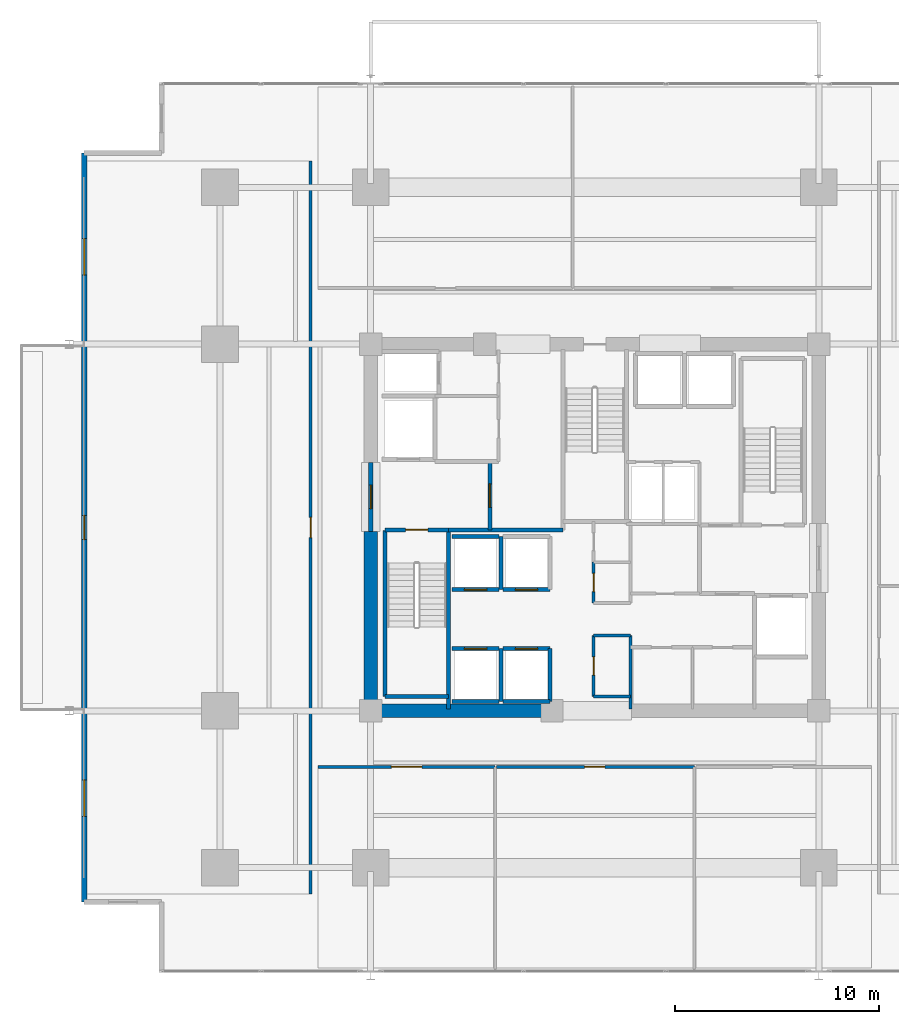
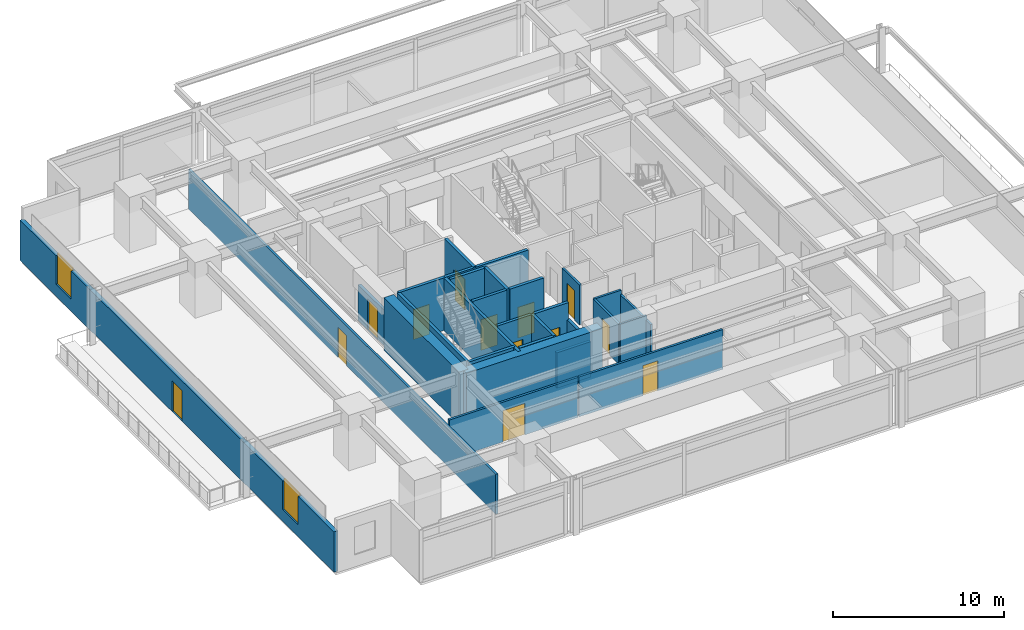
# One storey, part 13 of 20: 28 walls, 13 doors, 2 windows, 15 openings.
"""IFC4 building model written with IfcOpenShell, lengths in metres."""

from ifc_helpers import new_model, si_unit, direction, frame, frame_2d, origin, place, context, subcontext, project, spatial, rectangle, extrude, material, layer, layer_set, type_object, element, fill, save


model = new_model("IFC4")

# Units and contexts
model_context = context("Model", 3, precision=1e-05, world=origin(), true_north=direction((0.0, 1.0)))
body_context = subcontext(model_context, "Body", "Model", "MODEL_VIEW")
ifc_project = project(units=[si_unit("LENGTHUNIT", "METRE"), si_unit("AREAUNIT", "SQUARE_METRE"), si_unit("VOLUMEUNIT", "CUBIC_METRE"), si_unit("PLANEANGLEUNIT", "RADIAN"), si_unit("MASSUNIT", "GRAM", prefix="KILO")], contexts=[model_context])

# Site, building, storey
site_placement = place(None, origin())
site = spatial("IfcSite", under=ifc_project, at=site_placement, CompositionType="ELEMENT")
building_placement = place(site_placement, origin())
building = spatial("IfcBuilding", under=site, at=building_placement, Name="Kovane Verandah Tower", CompositionType="ELEMENT")
storey_placement = place(building_placement, frame((0.0, 0.0, 35.60009765625)))
storey = spatial("IfcBuildingStorey", under=building, at=storey_placement, Name="L07", CompositionType="ELEMENT", Elevation=35.60009765625)

# Walls
ifc_material_1 = material(Name="Fire-Rated Gypsum Stud Partition", Category="gypsum")
ifc_layer_1 = layer(ifc_material_1, 0.14990234375)
ifc_layer_set_1 = layer_set([ifc_layer_1], Name="Fire-Rated Gypsum Stud Partition")
wall_type_1 = type_object("IfcWallType", Name="WL-COR-150", PredefinedType="PARTITIONING", material=ifc_layer_set_1)
for number, where, z_axis, x_axis, name in (
    (1, (39.949951171875, 19.199951171875, 0.0), (0.0, 0.0, 1.0), (1.0, 0.0, 0.0), "L07 Central Core Strip South Wall"),
    (2, (39.949951171875, 22.199951171875, 0.0), (0.0, 0.0, 1.0), (1.0, 0.0, 0.0), "L07 Core Cross-Passage South Wall"),
):
    element("IfcWall", number, at=place(storey_placement, frame(where, z_axis=z_axis, x_axis=x_axis)), inside=storey, type_object=wall_type_1, Name=name, PredefinedType="PARTITIONING", context=body_context, shape_type="SweptSolid", body=[
        extrude(rectangle(XDim=1.81005859375, YDim=0.14990234375, at=frame_2d((0.905029296875, 0.0))), origin(), (0.0, 0.0, 1.0), 2.849853515625),
    ])
wall_1_placement = place(storey_placement, frame((41.760009765625, 18.60009765625, 0.0), z_axis=(0.0, 0.0, 1.0), x_axis=(0.0, 1.0, 0.0)))
element("IfcWall", 3, at=wall_1_placement, inside=storey, type_object=wall_type_1, Name="L07 Central Core Strip Lower East Wall", PredefinedType="PARTITIONING", context=body_context, shape_type="SweptSolid", body=[
    extrude(rectangle(XDim=3.599853515625, YDim=0.14990234375, at=frame_2d((1.7998046875, 0.0))), origin(), (0.0, 0.0, 1.0), 2.539794921875),
])

# Wall, opening, door
wall_2_placement = place(storey_placement, frame((39.949951171875, 19.199951171875, 0.0), z_axis=(0.0, 0.0, 1.0), x_axis=(0.0, 1.0, 0.0)))
wall_2 = element("IfcWall", 4, at=wall_2_placement, inside=storey, type_object=wall_type_1, Name="L07 Male Toilet Partition", PredefinedType="PARTITIONING", context=body_context, shape_type="SweptSolid", body=[
    extrude(rectangle(XDim=3.0, YDim=0.14990234375, at=frame_2d((1.5, 0.0))), origin(), (0.0, 0.0, 1.0), 2.849853515625),
])
opening_1_placement = place(wall_2_placement, frame((1.050048828125, 0.0, 0.0)))
opening_1 = element("IfcOpeningElement", 5, at=opening_1_placement, cuts=wall_2, Name="Opening DR-L07-027", PredefinedType="OPENING", context=body_context, shape_type="SweptSolid", body=[
    extrude(rectangle(XDim=0.89990234375, YDim=2.10009765625, at=frame_2d((0.449951171875, 1.050048828125))), frame((0.0, 0.074951171875, 0.0), z_axis=(0.0, -1.0, 0.0), x_axis=(1.0, 0.0, 0.0)), (0.0, 0.0, 1.0), 0.14990234375),
])
ifc_material_2 = material(Name="Moisture-Resistant Laminate Washroom Door", Category="wood")
door_type_1 = type_object("IfcDoorType", Name="DR-WC-900", OperationType="SINGLE_SWING_LEFT", PredefinedType="DOOR", material=ifc_material_2)
door_1_placement = place(opening_1_placement, origin())
door_1 = element("IfcDoor", 6, at=door_1_placement, inside=storey, type_object=door_type_1, Name="L07 Male Toilet Door", OperationType="SINGLE_SWING_LEFT", OverallHeight=2.10009765625, OverallWidth=0.89990234375, PredefinedType="DOOR", context=body_context, shape_type="SweptSolid", body=[
    extrude(rectangle(XDim=0.89990234375, YDim=2.10009765625, at=frame_2d((0.449951171875, 1.050048828125))), frame((0.0, 0.02490234375, 0.0), z_axis=(0.0, -1.0, 0.0), x_axis=(1.0, 0.0, 0.0)), (0.0, 0.0, 1.0), 0.050048828125),
])
fill(opening_1, door_1)

wall_3_placement = place(storey_placement, frame((39.949951171875, 23.800048828125, 0.0), z_axis=(0.0, 0.0, 1.0), x_axis=(0.0, 1.0, 0.0)))
wall_3 = element("IfcWall", 7, at=wall_3_placement, inside=storey, type_object=wall_type_1, Name="L07 Female Toilet Partition", PredefinedType="PARTITIONING", context=body_context, shape_type="SweptSolid", body=[
    extrude(rectangle(XDim=2.0, YDim=0.14990234375, at=frame_2d((1.0, 0.0))), origin(), (0.0, 0.0, 1.0), 2.849853515625),
])
opening_2_placement = place(wall_3_placement, frame((0.550048828125, 0.0, 0.0)))
opening_2 = element("IfcOpeningElement", 8, at=opening_2_placement, cuts=wall_3, Name="Opening DR-L07-026", PredefinedType="OPENING", context=body_context, shape_type="SweptSolid", body=[
    extrude(rectangle(XDim=0.89990234375, YDim=2.10009765625, at=frame_2d((0.449951171875, 1.050048828125))), frame((0.0, 0.074951171875, 0.0), z_axis=(0.0, -1.0, 0.0), x_axis=(1.0, 0.0, 0.0)), (0.0, 0.0, 1.0), 0.14990234375),
])
door_2_placement = place(opening_2_placement, origin())
door_2 = element("IfcDoor", 9, at=door_2_placement, inside=storey, type_object=door_type_1, Name="L07 Female Toilet Door", OperationType="SINGLE_SWING_RIGHT", OverallHeight=2.10009765625, OverallWidth=0.89990234375, PredefinedType="DOOR", context=body_context, shape_type="SweptSolid", body=[
    extrude(rectangle(XDim=0.89990234375, YDim=2.10009765625, at=frame_2d((0.449951171875, 1.050048828125))), frame((0.0, 0.02490234375, 0.0), z_axis=(0.0, -1.0, 0.0), x_axis=(1.0, 0.0, 0.0)), (0.0, 0.0, 1.0), 0.050048828125),
])
fill(opening_2, door_2)

wall_4_placement = place(storey_placement, frame((26.39990234375, 15.75, 0.0), z_axis=(0.0, 0.0, 1.0), x_axis=(1.0, 0.0, 0.0)))
wall_4 = element("IfcWall", 10, at=wall_4_placement, inside=storey, type_object=wall_type_1, Name="L07 Client Boardroom S1 Corridor Partition", PredefinedType="PARTITIONING", context=body_context, shape_type="SweptSolid", body=[
    extrude(rectangle(XDim=8.7041015625, YDim=0.14990234375, at=frame_2d((4.35205078125, 0.0))), origin(), (0.0, 0.0, 1.0), 2.849853515625),
])
opening_3_placement = place(wall_4_placement, frame((3.616943359375, 0.0, 0.0)))
opening_3 = element("IfcOpeningElement", 11, at=opening_3_placement, cuts=wall_4, Name="Opening DR-L07-021", PredefinedType="OPENING", context=body_context, shape_type="SweptSolid", body=[
    extrude(rectangle(XDim=1.5, YDim=2.25, at=frame_2d((0.75, 1.125))), frame((0.0, 0.074951171875, 0.0), z_axis=(0.0, -1.0, 0.0), x_axis=(1.0, 0.0, 0.0)), (0.0, 0.0, 1.0), 0.14990234375),
])
ifc_material_3 = material(Name="Glazed Timber Fire-Rated Double Door", Category="wood")
door_type_2 = type_object("IfcDoorType", Name="DR-CONF-1500", OperationType="DOUBLE_DOOR_SINGLE_SWING", PredefinedType="DOOR", material=ifc_material_3)
door_3_placement = place(opening_3_placement, origin())
door_3 = element("IfcDoor", 12, at=door_3_placement, inside=storey, type_object=door_type_2, Name="L07 Client Boardroom S1 Entrance Door", OperationType="DOUBLE_DOOR_SINGLE_SWING", OverallHeight=2.25, OverallWidth=1.5, PredefinedType="DOOR", context=body_context, shape_type="SweptSolid", body=[
    extrude(rectangle(XDim=1.5, YDim=2.25, at=frame_2d((0.75, 1.125))), frame((0.0, 0.02490234375, 0.0), z_axis=(0.0, -1.0, 0.0), x_axis=(1.0, 0.0, 0.0)), (0.0, 0.0, 1.0), 0.050048828125),
])
fill(opening_3, door_3)

wall_5_placement = place(storey_placement, frame((35.174072265625, 15.75, 0.0), z_axis=(0.0, 0.0, 1.0), x_axis=(1.0, 0.0, 0.0)))
wall_5 = element("IfcWall", 13, at=wall_5_placement, inside=storey, type_object=wall_type_1, Name="L07 Meeting Room S2 Corridor Partition", PredefinedType="PARTITIONING", context=body_context, shape_type="SweptSolid", body=[
    extrude(rectangle(XDim=9.721923828125, YDim=0.14990234375, at=frame_2d((4.86083984375, 0.0))), origin(), (0.0, 0.0, 1.0), 2.849853515625),
])
opening_4_placement = place(wall_5_placement, frame((4.325927734375, 0.0, 0.0)))
opening_4 = element("IfcOpeningElement", 14, at=opening_4_placement, cuts=wall_5, Name="Opening DR-L07-022", PredefinedType="OPENING", context=body_context, shape_type="SweptSolid", body=[
    extrude(rectangle(XDim=1.0, YDim=2.14990234375, at=frame_2d((0.5, 1.074951171875))), frame((0.0, 0.074951171875, 0.0), z_axis=(0.0, -1.0, 0.0), x_axis=(1.0, 0.0, 0.0)), (0.0, 0.0, 1.0), 0.14990234375),
])
ifc_material_4 = material(Name="FSC Spotted-Gum Timber Fire-Rated Office Door", Category="wood")
door_type_3 = type_object("IfcDoorType", Name="DR-OFF-1000", OperationType="SINGLE_SWING_LEFT", PredefinedType="DOOR", material=ifc_material_4)
door_4_placement = place(opening_4_placement, origin())
door_4 = element("IfcDoor", 15, at=door_4_placement, inside=storey, type_object=door_type_3, Name="L07 Meeting Room S2 Entrance Door", OperationType="SINGLE_SWING_RIGHT", OverallHeight=2.14990234375, OverallWidth=1.0, PredefinedType="DOOR", context=body_context, shape_type="SweptSolid", body=[
    extrude(rectangle(XDim=1.0, YDim=2.14990234375, at=frame_2d((0.5, 1.074951171875))), frame((0.0, 0.02490234375, 0.0), z_axis=(0.0, -1.0, 0.0), x_axis=(1.0, 0.0, 0.0)), (0.0, 0.0, 1.0), 0.050048828125),
])
fill(opening_4, door_4)

wall_6_placement = place(storey_placement, frame((26.050048828125, 9.5107421875, 0.0), z_axis=(0.0, 0.0, 1.0), x_axis=(0.0, 1.0, 0.0)))
wall_6 = element("IfcWall", 16, at=wall_6_placement, inside=storey, type_object=wall_type_1, Name="L07 Breakout Pantry W1 Corridor Partition", PredefinedType="PARTITIONING", context=body_context, shape_type="SweptSolid", body=[
    extrude(rectangle(XDim=35.978515625, YDim=0.14990234375, at=frame_2d((17.9892578125, 0.0))), origin(), (0.0, 0.0, 1.0), 2.849853515625),
])
opening_5_placement = place(wall_6_placement, frame((17.4892578125, 0.0, 0.0)))
opening_5 = element("IfcOpeningElement", 17, at=opening_5_placement, cuts=wall_6, Name="Opening DR-L07-028", PredefinedType="OPENING", context=body_context, shape_type="SweptSolid", body=[
    extrude(rectangle(XDim=1.0, YDim=2.14990234375, at=frame_2d((0.5, 1.074951171875))), frame((0.0, 0.074951171875, 0.0), z_axis=(0.0, -1.0, 0.0), x_axis=(1.0, 0.0, 0.0)), (0.0, 0.0, 1.0), 0.14990234375),
])
door_5_placement = place(opening_5_placement, origin())
door_5 = element("IfcDoor", 18, at=door_5_placement, inside=storey, type_object=door_type_3, Name="L07 Breakout Pantry W1 Entrance Door", OperationType="SINGLE_SWING_RIGHT", OverallHeight=2.14990234375, OverallWidth=1.0, PredefinedType="DOOR", context=body_context, shape_type="SweptSolid", body=[
    extrude(rectangle(XDim=1.0, YDim=2.14990234375, at=frame_2d((0.5, 1.074951171875))), frame((0.0, 0.02490234375, 0.0), z_axis=(0.0, -1.0, 0.0), x_axis=(1.0, 0.0, 0.0)), (0.0, 0.0, 1.0), 0.050048828125),
])
fill(opening_5, door_5)

# Walls
ifc_material_5 = material(Name="Concrete C80/95", Category="concrete")
ifc_layer_2 = layer(ifc_material_5, 0.64990234375)
ifc_layer_set_2 = layer_set([ifc_layer_2], Name="Concrete C80/95")
wall_type_2 = type_object("IfcWallType", Name="WL-CORE-650", PredefinedType="SHEAR", material=ifc_layer_set_2)
wall_7_placement = place(storey_placement, frame((29.0, 18.5, 0.0), z_axis=(0.0, 0.0, 1.0), x_axis=(1.0, 0.0, 0.0)))
element("IfcWall", 19, at=wall_7_placement, inside=storey, type_object=wall_type_2, Name="L07 Core Shear Wall CS-1", PredefinedType="SHEAR", context=body_context, shape_type="SweptSolid", body=[
    extrude(rectangle(XDim=9.199951171875, YDim=0.64990234375, at=frame_2d((4.60009765625, 0.0))), origin(), (0.0, 0.0, 1.0), 3.760009765625),
])
wall_8_placement = place(storey_placement, frame((29.0, 18.5, 0.0), z_axis=(0.0, 0.0, 1.0), x_axis=(0.0, 1.0, 0.0)))
element("IfcWall", 20, at=wall_8_placement, inside=storey, type_object=wall_type_2, Name="L07 Core Shear Wall CW-1", PredefinedType="SHEAR", context=body_context, shape_type="SweptSolid", body=[
    extrude(rectangle(XDim=8.800048828125, YDim=0.64990234375, at=frame_2d((4.39990234375, 0.0))), origin(), (0.0, 0.0, 1.0), 3.760009765625),
])

# Wall, opening, door
ifc_material_6 = material(Name="Concrete C45/55 Fire Wall", Category="concrete")
ifc_layer_3 = layer(ifc_material_6, 0.199951171875)
ifc_layer_set_3 = layer_set([ifc_layer_3], Name="Concrete C45/55 Fire Wall")
wall_type_3 = type_object("IfcWallType", Name="WL-FFL-200", PredefinedType="PARTITIONING", material=ifc_layer_set_3)
wall_9_placement = place(storey_placement, frame((34.85009765625, 27.3798828125, 0.0), z_axis=(0.0, 0.0, 1.0), x_axis=(0.0, 1.0, 0.0)))
wall_9 = element("IfcWall", 21, at=wall_9_placement, inside=storey, type_object=wall_type_3, Name="W-L07-FFLW-E", PredefinedType="PARTITIONING", context=body_context, shape_type="SweptSolid", body=[
    extrude(rectangle(XDim=3.3701171875, YDim=0.199951171875, at=frame_2d((1.68505859375, 0.0))), origin(), (0.0, 0.0, 1.0), 3.760009765625),
])
opening_6_placement = place(wall_9_placement, frame((1.110107421875, 0.0, 0.0)))
opening_6 = element("IfcOpeningElement", 22, at=opening_6_placement, cuts=wall_9, Name="Opening DR-L07-006", PredefinedType="OPENING", context=body_context, shape_type="SweptSolid", body=[
    extrude(rectangle(XDim=1.14990234375, YDim=2.199951171875, at=frame_2d((0.574951171875, 1.10009765625))), frame((0.0, 0.10009765625, 0.0), z_axis=(0.0, -1.0, 0.0), x_axis=(1.0, 0.0, 0.0)), (0.0, 0.0, 1.0), 0.199951171875),
])
ifc_material_7 = material(Name="Smoke-Sealed Firefighting Lobby Door", Category="steel")
door_type_4 = type_object("IfcDoorType", Name="DR-FFL-1150", OperationType="SINGLE_SWING_LEFT", PredefinedType="DOOR", material=ifc_material_7)
door_6_placement = place(opening_6_placement, origin())
door_6 = element("IfcDoor", 23, at=door_6_placement, inside=storey, type_object=door_type_4, Name="L07 West Firefighting Lobby Inner Door", OperationType="SINGLE_SWING_LEFT", OverallHeight=2.199951171875, OverallWidth=1.14990234375, PredefinedType="DOOR", context=body_context, shape_type="SweptSolid", body=[
    extrude(rectangle(XDim=1.14990234375, YDim=2.199951171875, at=frame_2d((0.574951171875, 1.10009765625))), frame((0.0, 0.02490234375, 0.0), z_axis=(0.0, -1.0, 0.0), x_axis=(1.0, 0.0, 0.0)), (0.0, 0.0, 1.0), 0.050048828125),
])
fill(opening_6, door_6)

wall_10_placement = place(storey_placement, frame((29.0, 27.300048828125, 0.0), z_axis=(0.0, 0.0, 1.0), x_axis=(0.0, 1.0, 0.0)))
wall_10 = element("IfcWall", 24, at=wall_10_placement, inside=storey, type_object=wall_type_3, Name="W-L07-FFLW-OUT", PredefinedType="PARTITIONING", context=body_context, shape_type="SweptSolid", body=[
    extrude(rectangle(XDim=3.39990234375, YDim=0.199951171875, at=frame_2d((1.699951171875, 0.0))), origin(), (0.0, 0.0, 1.0), 2.539794921875),
])
opening_7_placement = place(wall_10_placement, frame((1.125, 0.0, 0.0)))
opening_7 = element("IfcOpeningElement", 25, at=opening_7_placement, cuts=wall_10, Name="Opening DR-L07-007", PredefinedType="OPENING", context=body_context, shape_type="SweptSolid", body=[
    extrude(rectangle(XDim=1.14990234375, YDim=2.199951171875, at=frame_2d((0.574951171875, 1.10009765625))), frame((0.0, 0.10009765625, 0.0), z_axis=(0.0, -1.0, 0.0), x_axis=(1.0, 0.0, 0.0)), (0.0, 0.0, 1.0), 0.199951171875),
])
door_7_placement = place(opening_7_placement, origin())
door_7 = element("IfcDoor", 26, at=door_7_placement, inside=storey, type_object=door_type_4, Name="L07 West Firefighting Lobby Corridor Door", OperationType="SINGLE_SWING_RIGHT", OverallHeight=2.199951171875, OverallWidth=1.14990234375, PredefinedType="DOOR", context=body_context, shape_type="SweptSolid", body=[
    extrude(rectangle(XDim=1.14990234375, YDim=2.199951171875, at=frame_2d((0.574951171875, 1.10009765625))), frame((0.0, 0.02490234375, 0.0), z_axis=(0.0, -1.0, 0.0), x_axis=(1.0, 0.0, 0.0)), (0.0, 0.0, 1.0), 0.050048828125),
])
fill(opening_7, door_7)

# Walls
wall_11_placement = place(storey_placement, frame((32.820068359375, 27.3798828125, 0.0), z_axis=(0.0, 0.0, 1.0), x_axis=(1.0, 0.0, 0.0)))
element("IfcWall", 27, at=wall_11_placement, inside=storey, type_object=wall_type_3, Name="L07 West Firefighting Lobby South Fire Wall", PredefinedType="PARTITIONING", context=body_context, shape_type="SweptSolid", body=[
    extrude(rectangle(XDim=5.619873046875, YDim=0.199951171875, at=frame_2d((2.81005859375, 0.0))), origin(), (0.0, 0.0, 1.0), 3.760009765625),
])
ifc_material_8 = material(Name="Concrete C45/55 Lift Shaft Wall", Category="concrete")
ifc_layer_4 = layer(ifc_material_8, 0.199951171875)
ifc_layer_set_4 = layer_set([ifc_layer_4], Name="Concrete C45/55 Lift Shaft Wall")
wall_type_4 = type_object("IfcWallType", Name="WL-LIFT-200", PredefinedType="SOLIDWALL", material=ifc_layer_set_4)
wall_12_placement = place(storey_placement, frame((33.0, 18.949951171875, 0.0), z_axis=(0.0, 0.0, 1.0), x_axis=(1.0, 0.0, 0.0)))
element("IfcWall", 28, at=wall_12_placement, inside=storey, type_object=wall_type_4, Name="L07 Lift PL-L1 S Shaft Wall", PredefinedType="SOLIDWALL", context=body_context, shape_type="SweptSolid", body=[
    extrude(rectangle(XDim=2.300048828125, YDim=0.199951171875, at=frame_2d((1.14990234375, 0.0))), origin(), (0.0, 0.0, 1.0), 3.760009765625),
])

# Wall, opening, door
wall_13_placement = place(storey_placement, frame((35.300048828125, 21.550048828125, 0.0), z_axis=(0.0, 0.0, 1.0), x_axis=(-1.0, 0.0, 0.0)))
wall_13 = element("IfcWall", 29, at=wall_13_placement, inside=storey, type_object=wall_type_4, Name="L07 Lift PL-L1 N Shaft Wall", PredefinedType="SOLIDWALL", context=body_context, shape_type="SweptSolid", body=[
    extrude(rectangle(XDim=2.300048828125, YDim=0.199951171875, at=frame_2d((1.14990234375, 0.0))), origin(), (0.0, 0.0, 1.0), 3.760009765625),
])
opening_8_placement = place(wall_13_placement, frame((0.60009765625, 0.0, 0.0)))
opening_8 = element("IfcOpeningElement", 30, at=opening_8_placement, cuts=wall_13, Name="Opening LD-L07-004", PredefinedType="OPENING", context=body_context, shape_type="SweptSolid", body=[
    extrude(rectangle(XDim=1.10009765625, YDim=2.199951171875, at=frame_2d((0.550048828125, 1.10009765625))), frame((0.0, 0.10009765625, 0.0), z_axis=(0.0, -1.0, 0.0), x_axis=(1.0, 0.0, 0.0)), (0.0, 0.0, 1.0), 0.199951171875),
])
ifc_material_9 = material(Name="Brushed Stainless Steel Sliding Lift Landing Door", Category="steel")
door_type_5 = type_object("IfcDoorType", Name="DR-LIFT-1100", OperationType="SLIDING_TO_RIGHT", PredefinedType="DOOR", material=ifc_material_9)
door_8_placement = place(opening_8_placement, origin())
door_8 = element("IfcDoor", 31, at=door_8_placement, inside=storey, type_object=door_type_5, Name="L07 Lift PL-L1 Sliding Landing Door", OperationType="SLIDING_TO_RIGHT", OverallHeight=2.199951171875, OverallWidth=1.10009765625, PredefinedType="DOOR", context=body_context, shape_type="SweptSolid", body=[
    extrude(rectangle(XDim=1.10009765625, YDim=2.199951171875, at=frame_2d((0.550048828125, 1.10009765625))), frame((0.0, 0.02490234375, 0.0), z_axis=(0.0, -1.0, 0.0), x_axis=(1.0, 0.0, 0.0)), (0.0, 0.0, 1.0), 0.050048828125),
])
fill(opening_8, door_8)

# Walls
wall_14_placement = place(storey_placement, frame((35.39990234375, 18.949951171875, 0.0), z_axis=(0.0, 0.0, 1.0), x_axis=(0.0, 1.0, 0.0)))
element("IfcWall", 32, at=wall_14_placement, inside=storey, type_object=wall_type_4, Name="L07 Lift PL-L1 and PL-L2 Shared Shaft Wall", PredefinedType="SOLIDWALL", context=body_context, shape_type="SweptSolid", body=[
    extrude(rectangle(XDim=2.60009765625, YDim=0.199951171875, at=frame_2d((1.300048828125, 0.0))), origin(), (0.0, 0.0, 1.0), 3.760009765625),
])
wall_15_placement = place(storey_placement, frame((35.5, 18.949951171875, 0.0), z_axis=(0.0, 0.0, 1.0), x_axis=(1.0, 0.0, 0.0)))
element("IfcWall", 33, at=wall_15_placement, inside=storey, type_object=wall_type_4, Name="L07 Lift PL-L2 S Shaft Wall", PredefinedType="SOLIDWALL", context=body_context, shape_type="SweptSolid", body=[
    extrude(rectangle(XDim=2.300048828125, YDim=0.199951171875, at=frame_2d((1.14990234375, 0.0))), origin(), (0.0, 0.0, 1.0), 2.539794921875),
])

# Wall, opening, door
wall_16_placement = place(storey_placement, frame((37.800048828125, 21.550048828125, 0.0), z_axis=(0.0, 0.0, 1.0), x_axis=(-1.0, 0.0, 0.0)))
wall_16 = element("IfcWall", 34, at=wall_16_placement, inside=storey, type_object=wall_type_4, Name="L07 Lift PL-L2 N Shaft Wall", PredefinedType="SOLIDWALL", context=body_context, shape_type="SweptSolid", body=[
    extrude(rectangle(XDim=2.300048828125, YDim=0.199951171875, at=frame_2d((1.14990234375, 0.0))), origin(), (0.0, 0.0, 1.0), 3.760009765625),
])
opening_9_placement = place(wall_16_placement, frame((0.60009765625, 0.0, 0.0)))
opening_9 = element("IfcOpeningElement", 35, at=opening_9_placement, cuts=wall_16, Name="Opening LD-L07-005", PredefinedType="OPENING", context=body_context, shape_type="SweptSolid", body=[
    extrude(rectangle(XDim=1.10009765625, YDim=2.199951171875, at=frame_2d((0.550048828125, 1.10009765625))), frame((0.0, 0.10009765625, 0.0), z_axis=(0.0, -1.0, 0.0), x_axis=(1.0, 0.0, 0.0)), (0.0, 0.0, 1.0), 0.199951171875),
])
door_9_placement = place(opening_9_placement, origin())
door_9 = element("IfcDoor", 36, at=door_9_placement, inside=storey, type_object=door_type_5, Name="L07 Lift PL-L2 Sliding Landing Door", OperationType="SLIDING_TO_RIGHT", OverallHeight=2.199951171875, OverallWidth=1.10009765625, PredefinedType="DOOR", context=body_context, shape_type="SweptSolid", body=[
    extrude(rectangle(XDim=1.10009765625, YDim=2.199951171875, at=frame_2d((0.550048828125, 1.10009765625))), frame((0.0, 0.02490234375, 0.0), z_axis=(0.0, -1.0, 0.0), x_axis=(1.0, 0.0, 0.0)), (0.0, 0.0, 1.0), 0.050048828125),
])
fill(opening_9, door_9)

# Wall
wall_17_placement = place(storey_placement, frame((37.800048828125, 18.949951171875, 0.0), z_axis=(0.0, 0.0, 1.0), x_axis=(0.0, 1.0, 0.0)))
element("IfcWall", 37, at=wall_17_placement, inside=storey, type_object=wall_type_4, Name="L07 Lift PL-L2 E Shaft Wall", PredefinedType="SOLIDWALL", context=body_context, shape_type="SweptSolid", body=[
    extrude(rectangle(XDim=2.60009765625, YDim=0.199951171875, at=frame_2d((1.300048828125, 0.0))), origin(), (0.0, 0.0, 1.0), 2.539794921875),
])

# Wall, opening, door
wall_18_placement = place(storey_placement, frame((33.0, 24.449951171875, 0.0), z_axis=(0.0, 0.0, 1.0), x_axis=(1.0, 0.0, 0.0)))
wall_18 = element("IfcWall", 38, at=wall_18_placement, inside=storey, type_object=wall_type_4, Name="L07 Lift PL-L3 S Shaft Wall", PredefinedType="SOLIDWALL", context=body_context, shape_type="SweptSolid", body=[
    extrude(rectangle(XDim=2.300048828125, YDim=0.199951171875, at=frame_2d((1.14990234375, 0.0))), origin(), (0.0, 0.0, 1.0), 3.760009765625),
])
opening_10_placement = place(wall_18_placement, frame((0.60009765625, 0.0, 0.0)))
opening_10 = element("IfcOpeningElement", 39, at=opening_10_placement, cuts=wall_18, Name="Opening LD-L07-006", PredefinedType="OPENING", context=body_context, shape_type="SweptSolid", body=[
    extrude(rectangle(XDim=1.10009765625, YDim=2.199951171875, at=frame_2d((0.550048828125, 1.10009765625))), frame((0.0, 0.10009765625, 0.0), z_axis=(0.0, -1.0, 0.0), x_axis=(1.0, 0.0, 0.0)), (0.0, 0.0, 1.0), 0.199951171875),
])
door_10_placement = place(opening_10_placement, origin())
door_10 = element("IfcDoor", 40, at=door_10_placement, inside=storey, type_object=door_type_5, Name="L07 Lift PL-L3 Sliding Landing Door", OperationType="SLIDING_TO_RIGHT", OverallHeight=2.199951171875, OverallWidth=1.10009765625, PredefinedType="DOOR", context=body_context, shape_type="SweptSolid", body=[
    extrude(rectangle(XDim=1.10009765625, YDim=2.199951171875, at=frame_2d((0.550048828125, 1.10009765625))), frame((0.0, 0.02490234375, 0.0), z_axis=(0.0, -1.0, 0.0), x_axis=(1.0, 0.0, 0.0)), (0.0, 0.0, 1.0), 0.050048828125),
])
fill(opening_10, door_10)

# Walls
wall_19_placement = place(storey_placement, frame((35.300048828125, 27.050048828125, 0.0), z_axis=(0.0, 0.0, 1.0), x_axis=(-1.0, 0.0, 0.0)))
element("IfcWall", 41, at=wall_19_placement, inside=storey, type_object=wall_type_4, Name="L07 Lift PL-L3 N Shaft Wall", PredefinedType="SOLIDWALL", context=body_context, shape_type="SweptSolid", body=[
    extrude(rectangle(XDim=2.300048828125, YDim=0.199951171875, at=frame_2d((1.14990234375, 0.0))), origin(), (0.0, 0.0, 1.0), 3.760009765625),
])
wall_20_placement = place(storey_placement, frame((35.39990234375, 24.449951171875, 0.0), z_axis=(0.0, 0.0, 1.0), x_axis=(0.0, 1.0, 0.0)))
element("IfcWall", 42, at=wall_20_placement, inside=storey, type_object=wall_type_4, Name="L07 Lift PL-L3 and PL-L4 Shared Shaft Wall", PredefinedType="SOLIDWALL", context=body_context, shape_type="SweptSolid", body=[
    extrude(rectangle(XDim=2.60009765625, YDim=0.199951171875, at=frame_2d((1.300048828125, 0.0))), origin(), (0.0, 0.0, 1.0), 3.760009765625),
])

# Wall, opening, door
wall_21_placement = place(storey_placement, frame((35.5, 24.449951171875, 0.0), z_axis=(0.0, 0.0, 1.0), x_axis=(1.0, 0.0, 0.0)))
wall_21 = element("IfcWall", 43, at=wall_21_placement, inside=storey, type_object=wall_type_4, Name="L07 Lift PL-L4 S Shaft Wall", PredefinedType="SOLIDWALL", context=body_context, shape_type="SweptSolid", body=[
    extrude(rectangle(XDim=2.300048828125, YDim=0.199951171875, at=frame_2d((1.14990234375, 0.0))), origin(), (0.0, 0.0, 1.0), 3.760009765625),
])
opening_11_placement = place(wall_21_placement, frame((0.60009765625, 0.0, 0.0)))
opening_11 = element("IfcOpeningElement", 44, at=opening_11_placement, cuts=wall_21, Name="Opening LD-L07-007", PredefinedType="OPENING", context=body_context, shape_type="SweptSolid", body=[
    extrude(rectangle(XDim=1.10009765625, YDim=2.199951171875, at=frame_2d((0.550048828125, 1.10009765625))), frame((0.0, 0.10009765625, 0.0), z_axis=(0.0, -1.0, 0.0), x_axis=(1.0, 0.0, 0.0)), (0.0, 0.0, 1.0), 0.199951171875),
])
door_11_placement = place(opening_11_placement, origin())
door_11 = element("IfcDoor", 45, at=door_11_placement, inside=storey, type_object=door_type_5, Name="L07 Lift PL-L4 Sliding Landing Door", OperationType="SLIDING_TO_RIGHT", OverallHeight=2.199951171875, OverallWidth=1.10009765625, PredefinedType="DOOR", context=body_context, shape_type="SweptSolid", body=[
    extrude(rectangle(XDim=1.10009765625, YDim=2.199951171875, at=frame_2d((0.550048828125, 1.10009765625))), frame((0.0, 0.02490234375, 0.0), z_axis=(0.0, -1.0, 0.0), x_axis=(1.0, 0.0, 0.0)), (0.0, 0.0, 1.0), 0.050048828125),
])
fill(opening_11, door_11)

# Walls
ifc_material_10 = material(Name="Concrete C45/55", Category="concrete")
ifc_layer_5 = layer(ifc_material_10, 0.199951171875)
ifc_layer_set_5 = layer_set([ifc_layer_5], Name="Concrete C45/55")
wall_type_5 = type_object("IfcWallType", Name="WL-SHAFT-200", PredefinedType="SOLIDWALL", material=ifc_layer_set_5)
wall_22_placement = place(storey_placement, frame((29.699951171875, 19.199951171875, 0.0), z_axis=(0.0, 0.0, 1.0), x_axis=(0.0, 1.0, 0.0)))
element("IfcWall", 46, at=wall_22_placement, inside=storey, type_object=wall_type_5, Name="W-L07-ST01-W", PredefinedType="SOLIDWALL", context=body_context, shape_type="SweptSolid", body=[
    extrude(rectangle(XDim=8.150146484375, YDim=0.199951171875, at=frame_2d((4.0751953125, 0.0))), origin(), (0.0, 0.0, 1.0), 3.760009765625),
])
wall_23_placement = place(storey_placement, frame((29.699951171875, 19.199951171875, 0.0), z_axis=(0.0, 0.0, 1.0), x_axis=(1.0, 0.0, 0.0)))
element("IfcWall", 47, at=wall_23_placement, inside=storey, type_object=wall_type_5, Name="W-L07-ST01-S", PredefinedType="SOLIDWALL", context=body_context, shape_type="SweptSolid", body=[
    extrude(rectangle(XDim=3.1201171875, YDim=0.199951171875, at=frame_2d((1.56005859375, 0.0))), origin(), (0.0, 0.0, 1.0), 3.760009765625),
])
wall_24_placement = place(storey_placement, frame((32.820068359375, 18.60009765625, 0.0), z_axis=(0.0, 0.0, 1.0), x_axis=(0.0, 1.0, 0.0)))
element("IfcWall", 48, at=wall_24_placement, inside=storey, type_object=wall_type_5, Name="W-L07-ST01-E", PredefinedType="SOLIDWALL", context=body_context, shape_type="SweptSolid", body=[
    extrude(rectangle(XDim=8.77978515625, YDim=0.199951171875, at=frame_2d((4.389892578125, 0.0))), origin(), (0.0, 0.0, 1.0), 3.760009765625),
])

# Wall, opening, door
wall_25_placement = place(storey_placement, frame((29.699951171875, 27.3798828125, 0.0), z_axis=(0.0, 0.0, 1.0), x_axis=(1.0, 0.0, 0.0)))
wall_25 = element("IfcWall", 49, at=wall_25_placement, inside=storey, type_object=wall_type_5, Name="W-L07-ST01-N", PredefinedType="SOLIDWALL", context=body_context, shape_type="SweptSolid", body=[
    extrude(rectangle(XDim=3.1201171875, YDim=0.199951171875, at=frame_2d((1.56005859375, 0.0))), origin(), (0.0, 0.0, 1.0), 3.760009765625),
])
opening_12_placement = place(wall_25_placement, frame((1.010009765625, 0.0, 0.0)))
opening_12 = element("IfcOpeningElement", 50, at=opening_12_placement, cuts=wall_25, Name="Opening DR-L07-009", PredefinedType="OPENING", context=body_context, shape_type="SweptSolid", body=[
    extrude(rectangle(XDim=1.10009765625, YDim=2.14990234375, at=frame_2d((0.550048828125, 1.074951171875))), frame((0.0, 0.10009765625, 0.0), z_axis=(0.0, -1.0, 0.0), x_axis=(1.0, 0.0, 0.0)), (0.0, 0.0, 1.0), 0.199951171875),
])
ifc_material_11 = material(Name="Fire-Rated Steel Exit Door", Category="steel")
door_type_6 = type_object("IfcDoorType", Name="DR-STAIR-1100", OperationType="SINGLE_SWING_LEFT", PredefinedType="DOOR", material=ifc_material_11)
door_12_placement = place(opening_12_placement, origin())
door_12 = element("IfcDoor", 51, at=door_12_placement, inside=storey, type_object=door_type_6, Name="L07 ST-01 Fire Exit Stair Door", OperationType="SINGLE_SWING_RIGHT", OverallHeight=2.14990234375, OverallWidth=1.10009765625, PredefinedType="DOOR", context=body_context, shape_type="SweptSolid", body=[
    extrude(rectangle(XDim=1.10009765625, YDim=2.14990234375, at=frame_2d((0.550048828125, 1.074951171875))), frame((0.0, 0.02490234375, 0.0), z_axis=(0.0, -1.0, 0.0), x_axis=(1.0, 0.0, 0.0)), (0.0, 0.0, 1.0), 0.050048828125),
])
fill(opening_12, door_12)

# Wall, openings, door, windows
ifc_material_12 = material(Name="Concrete C45/55 Insulated Spandrel Wall", Category="concrete")
ifc_layer_6 = layer(ifc_material_12, 0.260009765625)
ifc_layer_set_6 = layer_set([ifc_layer_6], Name="Concrete C45/55 Insulated Spandrel Wall")
wall_type_6 = type_object("IfcWallType", Name="WL-SPANDREL-260", PredefinedType="PARAPET", material=ifc_layer_set_6)
wall_26_placement = place(storey_placement, frame((14.9296875, 45.889404296875, 0.0), z_axis=(0.0, 0.0, 1.0), x_axis=(0.0, -1.0, 0.0)))
wall_26 = element("IfcWall", 52, at=wall_26_placement, inside=storey, type_object=wall_type_6, Name="L07 W Verandah Access Facade Wall", PredefinedType="PARAPET", context=body_context, shape_type="SweptSolid", body=[
    extrude(rectangle(XDim=36.77880859375, YDim=0.260009765625, at=frame_2d((18.389404296875, 0.0))), origin(), (0.0, 0.0, 1.0), 2.88916015625),
])
opening_13_placement = place(wall_26_placement, frame((4.199951171875, 0.0, 0.85009765625)))
opening_13 = element("IfcOpeningElement", 53, at=opening_13_placement, cuts=wall_26, Name="Opening W-03", PredefinedType="OPENING", context=body_context, shape_type="SweptSolid", body=[
    extrude(rectangle(XDim=1.800048828125, YDim=2.199951171875, at=frame_2d((0.89990234375, 1.10009765625))), frame((0.0, 0.1298828125, 0.0), z_axis=(0.0, -1.0, 0.0), x_axis=(1.0, 0.0, 0.0)), (0.0, 0.0, 1.0), 0.260009765625),
])
opening_14_placement = place(wall_26_placement, frame((17.789306640625, 0.0, 0.0)))
opening_14 = element("IfcOpeningElement", 54, at=opening_14_placement, cuts=wall_26, Name="Opening DR-L07-002", PredefinedType="OPENING", context=body_context, shape_type="SweptSolid", body=[
    extrude(rectangle(XDim=1.199951171875, YDim=2.199951171875, at=frame_2d((0.60009765625, 1.10009765625))), frame((0.0, 0.1298828125, 0.0), z_axis=(0.0, -1.0, 0.0), x_axis=(1.0, 0.0, 0.0)), (0.0, 0.0, 1.0), 0.260009765625),
])
opening_15_placement = place(wall_26_placement, frame((30.778564453125, 0.0, 0.85009765625)))
opening_15 = element("IfcOpeningElement", 55, at=opening_15_placement, cuts=wall_26, Name="Opening W-03", PredefinedType="OPENING", context=body_context, shape_type="SweptSolid", body=[
    extrude(rectangle(XDim=1.800048828125, YDim=2.199951171875, at=frame_2d((0.89990234375, 1.10009765625))), frame((0.0, 0.1298828125, 0.0), z_axis=(0.0, -1.0, 0.0), x_axis=(1.0, 0.0, 0.0)), (0.0, 0.0, 1.0), 0.260009765625),
])
ifc_material_13 = material(Name="Cyclone-Rated Glazed Balcony Leaf Door", Category="aluminium")
door_type_7 = type_object("IfcDoorType", Name="DR-BAL-1200x2200", OperationType="SINGLE_SWING_LEFT", PredefinedType="DOOR", material=ifc_material_13)
door_13_placement = place(opening_14_placement, origin())
door_13 = element("IfcDoor", 56, at=door_13_placement, inside=storey, type_object=door_type_7, Name="L07 W Planted Balcony Access Door", OperationType="SINGLE_SWING_LEFT", OverallHeight=2.199951171875, OverallWidth=1.199951171875, PredefinedType="DOOR", context=body_context, shape_type="SweptSolid", body=[
    extrude(rectangle(XDim=1.199951171875, YDim=2.199951171875, at=frame_2d((0.60009765625, 1.10009765625))), frame((0.0, 0.02490234375, 0.0), z_axis=(0.0, -1.0, 0.0), x_axis=(1.0, 0.0, 0.0)), (0.0, 0.0, 1.0), 0.050048828125),
])
fill(opening_14, door_13)
ifc_material_14 = material(Name="Clear Low-E Laminated Double Glazing in Anodised Frame", Category="glass")
window_type = type_object("IfcWindowType", Name="WN-NOTCH-1800x2200", PartitioningType="SINGLE_PANEL", PredefinedType="WINDOW", material=ifc_material_14)
window_1_placement = place(opening_13_placement, origin())
window_1 = element("IfcWindow", 57, at=window_1_placement, inside=storey, type_object=window_type, Name="L07 W Verandah View Window 1", OverallHeight=2.199951171875, OverallWidth=1.800048828125, PartitioningType="SINGLE_PANEL", PredefinedType="WINDOW", context=body_context, shape_type="SweptSolid", body=[
    extrude(rectangle(XDim=1.800048828125, YDim=2.199951171875, at=frame_2d((0.89990234375, 1.10009765625))), frame((0.0, 0.030029296875, 0.0), z_axis=(0.0, -1.0, 0.0), x_axis=(1.0, 0.0, 0.0)), (0.0, 0.0, 1.0), 0.06005859375),
])
fill(opening_13, window_1)
window_2_placement = place(opening_15_placement, origin())
window_2 = element("IfcWindow", 58, at=window_2_placement, inside=storey, type_object=window_type, Name="L07 W Verandah View Window 2", OverallHeight=2.199951171875, OverallWidth=1.800048828125, PartitioningType="SINGLE_PANEL", PredefinedType="WINDOW", context=body_context, shape_type="SweptSolid", body=[
    extrude(rectangle(XDim=1.800048828125, YDim=2.199951171875, at=frame_2d((0.89990234375, 1.10009765625))), frame((0.0, 0.030029296875, 0.0), z_axis=(0.0, -1.0, 0.0), x_axis=(1.0, 0.0, 0.0)), (0.0, 0.0, 1.0), 0.06005859375),
])
fill(opening_15, window_2)

save(model, "model.ifc")
